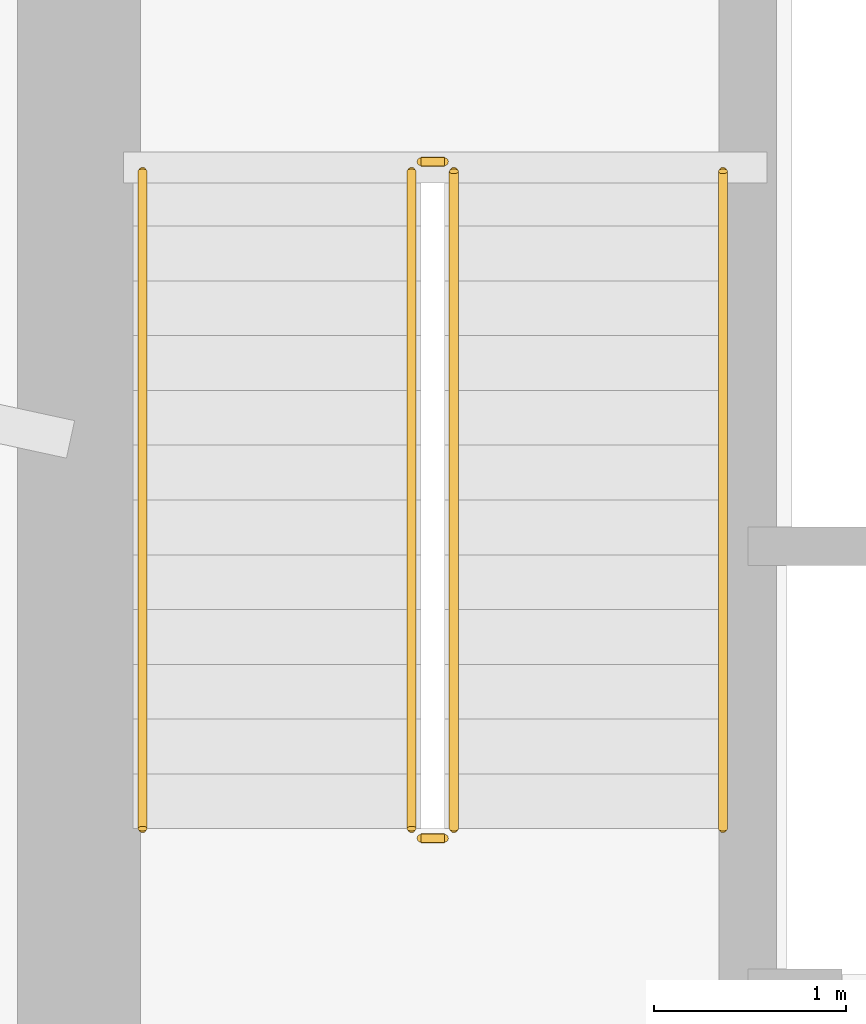
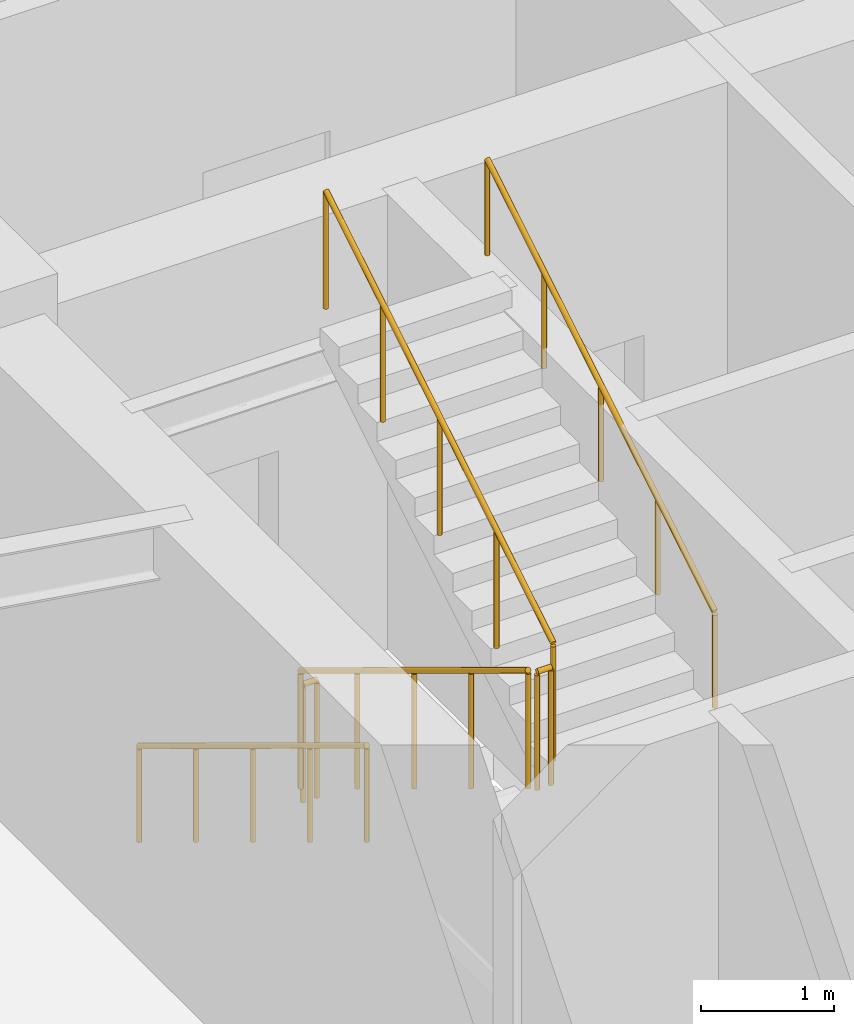
# One storey, part 18 of 21: 6 railings.
"""IFC4 building model written with IfcOpenShell, lengths in metres."""

import ifcopenshell
import ifcopenshell.guid

model = None  # the IFC model being written
_history = None  # IfcOwnerHistory: only IFC2X3 demands one
_inside = {}  # id of a spatial element -> (the spatial element, [elements in it])
_under = {}  # id of a project, library or spatial element -> (it, [spatial elements below it])
_declared = {}  # id of a project -> (the project, [libraries it declares])
_typed = {}  # id of a type object -> (the type object, [elements of that type])
_made_of = {}  # id of a material, layer set ... -> (it, [elements and type objects made of it])


def new_model(schema):
    """Start an empty IFC model of exactly this schema.

    Asked for "IFC4X3", IfcOpenShell would pick the latest addendum, in which some entities
    have other attributes; the version numbers below select the first issue.
    IFC2X3 requires an IfcOwnerHistory on every rooted entity: one is made here for all.
    """
    global model, _history
    if schema == "IFC4X3":
        model = ifcopenshell.file(schema_version=(4, 3, 0, 0))
    else:
        model = ifcopenshell.file(schema=schema)
    _inside.clear()
    _under.clear()
    _declared.clear()
    _typed.clear()
    _made_of.clear()
    _history = None
    if model.schema == "IFC2X3":
        org = make("IfcOrganization", Name="unknown")
        user = make(
            "IfcPersonAndOrganization",
            ThePerson=make("IfcPerson", FamilyName="unknown"),
            TheOrganization=org,
        )
        app = make(
            "IfcApplication",
            ApplicationDeveloper=org,
            Version="unknown",
            ApplicationFullName="unknown",
            ApplicationIdentifier="unknown",
        )
        _history = make(
            "IfcOwnerHistory",
            OwningUser=user,
            OwningApplication=app,
            ChangeAction="ADDED",
            CreationDate=0,
        )
    return model


def make(cls, **values):
    """One entity of the class cls with the attributes given. An attribute that is None is left unset."""
    return model.create_entity(
        cls, **{name: value for name, value in values.items() if value is not None}
    )


def rooted(cls, **values):
    """An entity with a GlobalId (a new one), such as an element, a storey or a relation."""
    return make(cls, GlobalId=ifcopenshell.guid.new(), OwnerHistory=_history, **values)


def si_unit(unit_type, name, prefix=None):
    """IfcSIUnit, for example si_unit("LENGTHUNIT", "METRE", prefix="MILLI")."""
    return make("IfcSIUnit", UnitType=unit_type, Prefix=prefix, Name=name)


def assignment(units):
    """IfcUnitAssignment: the units of a project."""
    return None if units is None else make("IfcUnitAssignment", Units=units)


def point(xyz):
    """IfcCartesianPoint."""
    return None if xyz is None else make("IfcCartesianPoint", Coordinates=xyz)


def direction(xyz):
    """IfcDirection."""
    return None if xyz is None else make("IfcDirection", DirectionRatios=xyz)


def frame(location, z_axis=None, x_axis=None):
    """IfcAxis2Placement3D, a coordinate frame: its origin and axes. An axis left out is left unset."""
    return make(
        "IfcAxis2Placement3D",
        Location=point(location),
        Axis=direction(z_axis),
        RefDirection=direction(x_axis),
    )


def frame_2d(location, x_axis=None):
    """IfcAxis2Placement2D, a coordinate frame in the plane: its origin and x axis."""
    return make(
        "IfcAxis2Placement2D", Location=point(location), RefDirection=direction(x_axis)
    )


def origin():
    """The frame at (0, 0, 0) with its axes left unset."""
    return frame((0.0, 0.0, 0.0))


def origin_2d():
    """The frame at (0, 0) in the plane with its x axis left unset."""
    return frame_2d((0.0, 0.0))


def place(relative_to, where):
    """IfcLocalPlacement: puts the frame where relative to a parent placement (None: the world)."""
    return make(
        "IfcLocalPlacement", PlacementRelTo=relative_to, RelativePlacement=where
    )


def context(
    kind, dimensions, precision=None, world=None, true_north=None, identifier=None
):
    """IfcGeometricRepresentationContext, for example the 3D "Model" context."""
    return make(
        "IfcGeometricRepresentationContext",
        ContextIdentifier=identifier,
        ContextType=kind,
        CoordinateSpaceDimension=dimensions,
        Precision=precision,
        WorldCoordinateSystem=world,
        TrueNorth=true_north,
    )


def subcontext(parent, identifier, kind, view, scale=None):
    """IfcGeometricRepresentationSubContext, for example "Body" below "Model"."""
    return make(
        "IfcGeometricRepresentationSubContext",
        ContextIdentifier=identifier,
        ContextType=kind,
        ParentContext=parent,
        TargetScale=scale,
        TargetView=view,
    )


def project(units=None, contexts=None):
    """IfcProject with its units and contexts."""
    return rooted(
        "IfcProject",
        Name="project",
        RepresentationContexts=contexts,
        UnitsInContext=assignment(units),
    )


def spatial(cls, under=None, at=None, **own):
    """A site, building, storey or space (cls), placed at a placement, below another one or the project."""
    s = rooted(cls, ObjectPlacement=at, **own)
    if under is not None:
        _under.setdefault(under.id(), (under, []))[1].append(s)
    return s


def profile(cls, at=None, kind="AREA", **sizes):
    """A parametric profile (cls). Its sizes go by their IFC names, for example OverallWidth=200.0."""
    return make(cls, ProfileType=kind, Position=at, **sizes)


def circle(**sizes):
    """IfcCircleProfileDef."""
    return profile("IfcCircleProfileDef", **sizes)


def extrude(swept, where, along, depth):
    """IfcExtrudedAreaSolid: the profile swept, set in the frame where, extruded along a direction by depth."""
    return make(
        "IfcExtrudedAreaSolid",
        SweptArea=swept,
        Position=where,
        ExtrudedDirection=direction(along),
        Depth=depth,
    )


def shape(context_of_items, identifier, shape_type, items):
    """IfcShapeRepresentation: the items that make up one representation, for example the "Body"."""
    return make(
        "IfcShapeRepresentation",
        ContextOfItems=context_of_items,
        RepresentationIdentifier=identifier,
        RepresentationType=shape_type,
        Items=items,
    )


def material(Name=None, Category=None):
    """IfcMaterial."""
    return make("IfcMaterial", Name=Name, Category=Category)


def made_of(thing, what):
    """Note that an element or type object is made of a material, layer set ...; save() writes the relation."""
    if what is not None:
        _made_of.setdefault(what.id(), (what, []))[1].append(thing)
    return thing


def type_object(cls, material=None, **own):
    """A type object (cls), such as IfcWallType, which elements share."""
    return made_of(rooted(cls, **own), material)


def element(
    cls,
    number,
    at=None,
    inside=None,
    cuts=None,
    type_object=None,
    material=None,
    context=None,
    identifier="Body",
    shape_type=None,
    held_by="IfcProductDefinitionShape",
    body=None,
    shapes=None,
    **own,
):
    """One element of the class cls, such as IfcWall. Its Tag is "e" and its number.

    at: its placement. inside: the storey or other place that contains it. cuts: it is an
    opening in that element (IfcRelVoidsElement). A single representation is given by context,
    identifier, shape_type and body (its items); several are given by shapes. held_by: the class
    of the entity that holds the representations. save() writes the other relations.
    """
    e = rooted(cls, Tag="e%d" % number, ObjectPlacement=at, **own)
    if body is not None:
        shapes = [shape(context, identifier, shape_type, body)]
    if shapes is not None:
        e.Representation = make(held_by, Representations=shapes)
    if inside is not None:
        _inside.setdefault(inside.id(), (inside, []))[1].append(e)
    if cuts is not None:
        rooted(
            "IfcRelVoidsElement", RelatingBuildingElement=cuts, RelatedOpeningElement=e
        )
    if type_object is not None:
        _typed.setdefault(type_object.id(), (type_object, []))[1].append(e)
    return made_of(e, material)


def aggregate(whole, parts):
    """IfcRelAggregates: a whole, such as a stair, and the parts it consists of."""
    return rooted("IfcRelAggregates", RelatingObject=whole, RelatedObjects=parts)


def save(model, path):
    """Write the relations noted so far, then the file.

    IfcRelAggregates (storeys below a building ...), IfcRelContainedInSpatialStructure (elements
    in a storey), IfcRelDefinesByType, IfcRelAssociatesMaterial and IfcRelDeclares: one each for
    every whole, place, type object, material and project.
    """
    for whole, parts in _under.values():
        aggregate(whole, parts)
    for where, things in _inside.values():
        rooted(
            "IfcRelContainedInSpatialStructure",
            RelatedElements=things,
            RelatingStructure=where,
        )
    for kind, things in _typed.values():
        rooted("IfcRelDefinesByType", RelatedObjects=things, RelatingType=kind)
    for what, things in _made_of.values():
        rooted("IfcRelAssociatesMaterial", RelatedObjects=things, RelatingMaterial=what)
    for by, libraries in _declared.values():
        rooted("IfcRelDeclares", RelatingContext=by, RelatedDefinitions=libraries)
    model.write(path)


model = new_model("IFC4")

# Units and contexts
model_context = context("Model", 3, precision=1e-05, world=origin(), true_north=direction((0.0, 1.0)))
body_context = subcontext(model_context, "Body", "Model", "MODEL_VIEW")
ifc_project = project(units=[si_unit("LENGTHUNIT", "METRE"), si_unit("AREAUNIT", "SQUARE_METRE"), si_unit("VOLUMEUNIT", "CUBIC_METRE"), si_unit("PLANEANGLEUNIT", "RADIAN"), si_unit("MASSUNIT", "GRAM", prefix="KILO")], contexts=[model_context])

# Site, building, storey
site_placement = place(None, origin())
site = spatial("IfcSite", under=ifc_project, at=site_placement, CompositionType="ELEMENT")
building_placement = place(site_placement, origin())
building = spatial("IfcBuilding", under=site, at=building_placement, Name="Qobustan Lattice House", CompositionType="ELEMENT")
storey_placement = place(building_placement, frame((0.0, 0.0, 4.5)))
storey = spatial("IfcBuildingStorey", under=building, at=storey_placement, Name="L01", CompositionType="ELEMENT", Elevation=4.5)

# Railings
ifc_material_1 = material(Name="Brushed stainless steel handrail", Category="steel")
railing_type_1 = type_object("IfcRailingType", Name="RAL-HR-920", PredefinedType="HANDRAIL", material=ifc_material_1)
railing_1_placement = place(storey_placement, frame((-18.199951171875, 3.5, 0.173095703125)))
element("IfcRailing", 1, at=railing_1_placement, inside=storey, type_object=railing_type_1, Name="L01 ST-W1 stair handrail 1", PredefinedType="HANDRAIL", context=body_context, shape_type="SweptSolid", body=[
    extrude(circle(Radius=0.02392578125, at=origin_2d()), frame((0.0, 0.0, 0.8759765625), z_axis=(0.0, -0.854729506542, 0.519073665916), x_axis=(1.0, 0.0, 0.0)), (0.0, 0.0, 1.0), 4.001220703125),
    extrude(circle(Radius=0.02099609375, at=origin_2d()), origin(), (0.0, 0.0, 1.0), 0.851806640625),
    extrude(circle(Radius=0.02099609375, at=origin_2d()), frame((0.0, -0.85498046875, 0.519287109375)), (0.0, 0.0, 1.0), 0.851806640625),
    extrude(circle(Radius=0.02099609375, at=origin_2d()), frame((0.0, -1.7099609375, 1.03857421875)), (0.0, 0.0, 1.0), 0.851806640625),
    extrude(circle(Radius=0.02099609375, at=origin_2d()), frame((0.0, -2.56494140625, 1.5576171875)), (0.0, 0.0, 1.0), 0.851806640625),
    extrude(circle(Radius=0.02099609375, at=origin_2d()), frame((0.0, -3.419921875, 2.076904296875)), (0.0, 0.0, 1.0), 0.851806640625),
])
railing_2_placement = place(storey_placement, frame((-15.179931640625, 0.080078125, 2.423095703125)))
element("IfcRailing", 2, at=railing_2_placement, inside=storey, type_object=railing_type_1, Name="L01 ST-W1 stair handrail 2", PredefinedType="HANDRAIL", context=body_context, shape_type="SweptSolid", body=[
    extrude(circle(Radius=0.02392578125, at=origin_2d()), frame((0.0, 0.0, 0.8759765625), z_axis=(0.0, 0.854729506542, 0.519073665916), x_axis=(-1.0, 0.0, 0.0)), (0.0, 0.0, 1.0), 4.001220703125),
    extrude(circle(Radius=0.02099609375, at=origin_2d()), origin(), (0.0, 0.0, 1.0), 0.851806640625),
    extrude(circle(Radius=0.02099609375, at=origin_2d()), frame((0.0, 0.85498046875, 0.519287109375)), (0.0, 0.0, 1.0), 0.851806640625),
    extrude(circle(Radius=0.02099609375, at=origin_2d()), frame((0.0, 1.7099609375, 1.03857421875)), (0.0, 0.0, 1.0), 0.851806640625),
    extrude(circle(Radius=0.02099609375, at=origin_2d()), frame((0.0, 2.56494140625, 1.5576171875)), (0.0, 0.0, 1.0), 0.851806640625),
    extrude(circle(Radius=0.02099609375, at=origin_2d()), frame((0.0, 3.419921875, 2.076904296875)), (0.0, 0.0, 1.0), 0.851806640625),
])
ifc_material_2 = material(Name="Painted galvanized steel guardrail", Category="steel")
railing_type_2 = type_object("IfcRailingType", Name="RAL-STG-1150", PredefinedType="GUARDRAIL", material=ifc_material_2)
railing_3_placement = place(storey_placement, frame((-16.800048828125, 3.5, 0.173095703125)))
element("IfcRailing", 3, at=railing_3_placement, inside=storey, type_object=railing_type_2, Name="L01 ST-W1 stair guard 1", PredefinedType="GUARDRAIL", context=body_context, shape_type="SweptSolid", body=[
    extrude(circle(Radius=0.02392578125, at=origin_2d()), frame((0.0, 0.0, 1.076171875), z_axis=(0.0, -0.854729506542, 0.519073665916), x_axis=(1.0, 0.0, 0.0)), (0.0, 0.0, 1.0), 4.001220703125),
    extrude(circle(Radius=0.02099609375, at=origin_2d()), origin(), (0.0, 0.0, 1.0), 1.052001953125),
    extrude(circle(Radius=0.02099609375, at=origin_2d()), frame((0.0, -0.85498046875, 0.519287109375)), (0.0, 0.0, 1.0), 1.052001953125),
    extrude(circle(Radius=0.02099609375, at=origin_2d()), frame((0.0, -1.7099609375, 1.03857421875)), (0.0, 0.0, 1.0), 1.052001953125),
    extrude(circle(Radius=0.02099609375, at=origin_2d()), frame((0.0, -2.56494140625, 1.5576171875)), (0.0, 0.0, 1.0), 1.052001953125),
    extrude(circle(Radius=0.02099609375, at=origin_2d()), frame((0.0, -3.419921875, 2.076904296875)), (0.0, 0.0, 1.0), 1.052001953125),
])
railing_4_placement = place(storey_placement, frame((-16.75, 0.030029296875, 2.25)))
element("IfcRailing", 4, at=railing_4_placement, inside=storey, type_object=railing_type_2, Name="L01 ST-W1 stair guard 2", PredefinedType="GUARDRAIL", context=body_context, shape_type="SweptSolid", body=[
    extrude(circle(Radius=0.02392578125, at=origin_2d()), frame((0.0, 0.0, 1.076171875), z_axis=(1.0, 0.0, 0.0), x_axis=(0.0, 1.0, 0.0)), (0.0, 0.0, 1.0), 0.1201171875),
    extrude(circle(Radius=0.02099609375, at=origin_2d()), origin(), (0.0, 0.0, 1.0), 1.052001953125),
    extrude(circle(Radius=0.02099609375, at=origin_2d()), frame((0.1201171875, 0.0, 0.0)), (0.0, 0.0, 1.0), 1.052001953125),
])
railing_5_placement = place(storey_placement, frame((-16.580078125, 0.080078125, 2.423095703125)))
element("IfcRailing", 5, at=railing_5_placement, inside=storey, type_object=railing_type_2, Name="L01 ST-W1 stair guard 3", PredefinedType="GUARDRAIL", context=body_context, shape_type="SweptSolid", body=[
    extrude(circle(Radius=0.02392578125, at=origin_2d()), frame((0.0, 0.0, 1.076171875), z_axis=(0.0, 0.854729506542, 0.519073665916), x_axis=(-1.0, 0.0, 0.0)), (0.0, 0.0, 1.0), 4.001220703125),
    extrude(circle(Radius=0.02099609375, at=origin_2d()), origin(), (0.0, 0.0, 1.0), 1.052001953125),
    extrude(circle(Radius=0.02099609375, at=origin_2d()), frame((0.0, 0.85498046875, 0.519287109375)), (0.0, 0.0, 1.0), 1.052001953125),
    extrude(circle(Radius=0.02099609375, at=origin_2d()), frame((0.0, 1.7099609375, 1.03857421875)), (0.0, 0.0, 1.0), 1.052001953125),
    extrude(circle(Radius=0.02099609375, at=origin_2d()), frame((0.0, 2.56494140625, 1.5576171875)), (0.0, 0.0, 1.0), 1.052001953125),
    extrude(circle(Radius=0.02099609375, at=origin_2d()), frame((0.0, 3.419921875, 2.076904296875)), (0.0, 0.0, 1.0), 1.052001953125),
])
railing_6_placement = place(storey_placement, frame((-16.75, 3.550048828125, 0.0)))
element("IfcRailing", 6, at=railing_6_placement, inside=storey, type_object=railing_type_2, Name="L01 ST-W1 stair guard 4", PredefinedType="GUARDRAIL", context=body_context, shape_type="SweptSolid", body=[
    extrude(circle(Radius=0.02392578125, at=origin_2d()), frame((0.0, 0.0, 1.076171875), z_axis=(1.0, 0.0, 0.0), x_axis=(0.0, 1.0, 0.0)), (0.0, 0.0, 1.0), 0.1201171875),
    extrude(circle(Radius=0.02099609375, at=origin_2d()), origin(), (0.0, 0.0, 1.0), 1.052001953125),
    extrude(circle(Radius=0.02099609375, at=origin_2d()), frame((0.1201171875, 0.0, 0.0)), (0.0, 0.0, 1.0), 1.052001953125),
])

save(model, "model.ifc")
